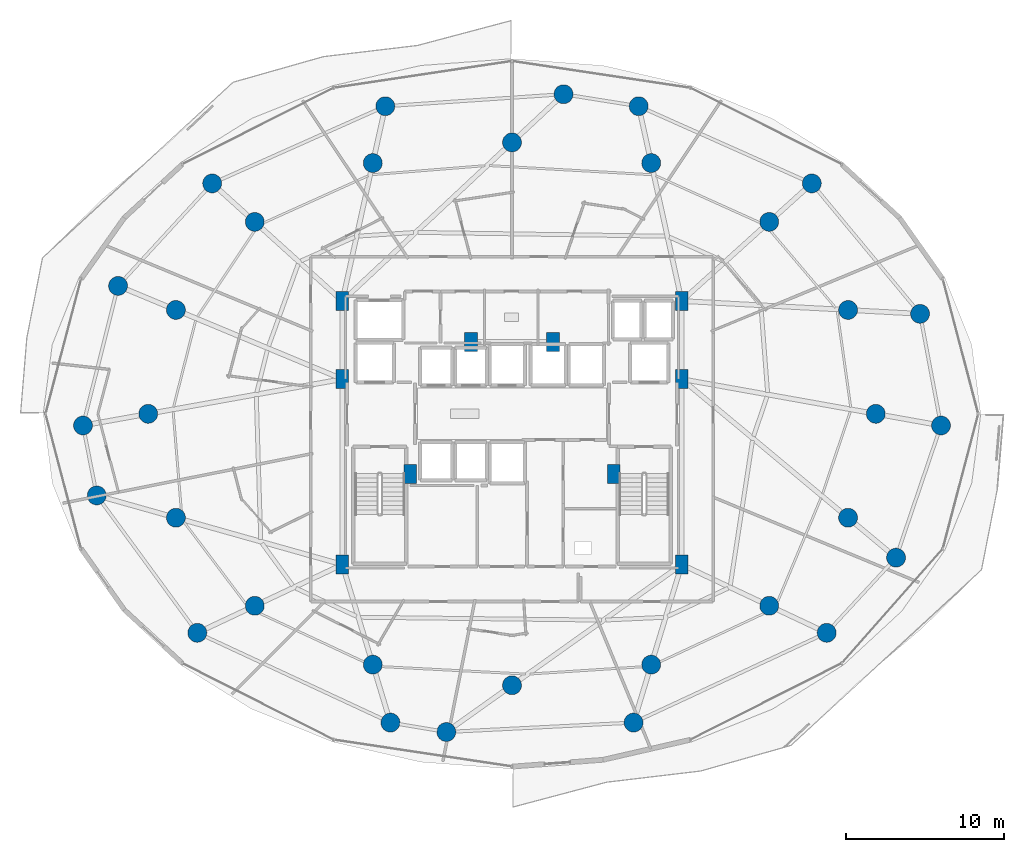
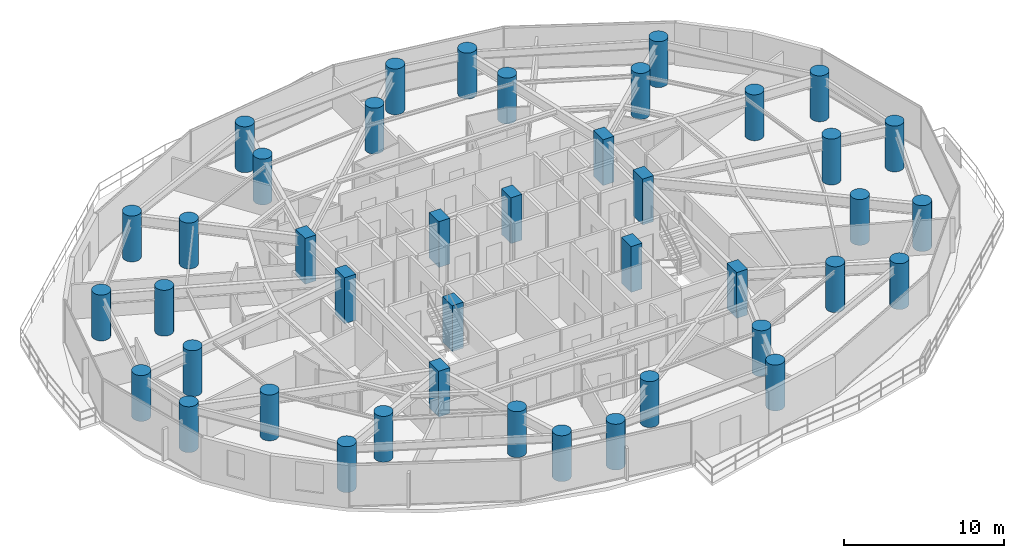
# One storey, part 1 of 35: 42 columns.
"""IFC4 building model written with IfcOpenShell, lengths in metres."""

from ifc_helpers import new_model, si_unit, direction, frame, origin, origin_2d, place, context, subcontext, project, spatial, rectangle, circle, extrude, material, material_profile, profile_set, type_object, element, save


model = new_model("IFC4")

# Units and contexts
model_context = context("Model", 3, precision=1e-05, world=origin(), true_north=direction((0.0, 1.0)))
body_context = subcontext(model_context, "Body", "Model", "MODEL_VIEW")
ifc_project = project(units=[si_unit("LENGTHUNIT", "METRE"), si_unit("AREAUNIT", "SQUARE_METRE"), si_unit("VOLUMEUNIT", "CUBIC_METRE"), si_unit("PLANEANGLEUNIT", "RADIAN"), si_unit("MASSUNIT", "GRAM", prefix="KILO")], contexts=[model_context])

# Site, building, storey
site_placement = place(None, origin())
site = spatial("IfcSite", under=ifc_project, at=site_placement, CompositionType="ELEMENT")
building_placement = place(site_placement, origin())
building = spatial("IfcBuilding", under=site, at=building_placement, Name="Vorneva Point Tower", CompositionType="ELEMENT")
storey_placement = place(building_placement, frame((0.0, 0.0, 52.0)))
storey = spatial("IfcBuildingStorey", under=building, at=storey_placement, Name="L13", CompositionType="ELEMENT", Elevation=52.0)

# Columns
ifc_material = material(Name="Concrete B60 (C50/60)", Category="concrete")
ifc_material_profile_1 = material_profile(ifc_material, circle(Radius=0.60009765625, at=origin_2d()), Name="RC-CIRC 1200")
ifc_profile_set_1 = profile_set([ifc_material_profile_1], Name="Concrete B60 (C50/60)")
column_type_1 = type_object("IfcColumnType", Name="COL-RC1200C", PredefinedType="COLUMN", material=ifc_profile_set_1)
for number, where, z_axis, x_axis, name in (
    (1, (61.050048828125, 26.0, 0.0), (0.0, 0.0, 1.0), (1.0, 0.0, 0.0), "L13 Perimeter Column P01"),
    (2, (59.29541015625, 32.582275390625, 0.0), (0.0, 0.0, 1.0), (0.923879532511, 0.382683432365, 0.0), "L13 Perimeter Column P02"),
    (3, (54.298828125, 38.162109375, 0.0), (0.0, 0.0, 1.0), (0.707106781187, 0.707106781187, 0.0), "L13 Perimeter Column P03"),
    (4, (46.82080078125, 41.890625, 0.0), (0.0, 0.0, 1.0), (0.382683432365, 0.923879532511, 0.0), "L13 Perimeter Column P04"),
    (5, (38.0, 43.199951171875, 0.0), (0.0, 0.0, 1.0), (0.0, 1.0, 0.0), "L13 Perimeter Column P05"),
    (6, (29.17919921875, 41.890625, 0.0), (0.0, 0.0, 1.0), (-0.382683432365, 0.923879532511, 0.0), "L13 Perimeter Column P06"),
    (7, (21.701171875, 38.162109375, 0.0), (0.0, 0.0, 1.0), (-0.707106781187, 0.707106781187, 0.0), "L13 Perimeter Column P07"),
    (8, (16.70458984375, 32.582275390625, 0.0), (0.0, 0.0, 1.0), (-0.923879532511, 0.382683432365, 0.0), "L13 Perimeter Column P08"),
    (9, (14.949951171875, 26.0, 0.0), (0.0, 0.0, 1.0), (-1.0, 0.0, 0.0), "L13 Perimeter Column P09"),
    (10, (16.70458984375, 19.417724609375, 0.0), (0.0, 0.0, 1.0), (-0.923879532511, -0.382683432365, 0.0), "L13 Perimeter Column P10"),
    (11, (21.701171875, 13.837890625, 0.0), (0.0, 0.0, 1.0), (-0.707106781187, -0.707106781187, 0.0), "L13 Perimeter Column P11"),
    (12, (29.17919921875, 10.109375, 0.0), (0.0, 0.0, 1.0), (-0.382683432365, -0.923879532511, 0.0), "L13 Perimeter Column P12"),
    (13, (38.0, 8.800048828125, 0.0), (0.0, 0.0, 1.0), (0.0, -1.0, 0.0), "L13 Perimeter Column P13"),
    (14, (46.82080078125, 10.109375, 0.0), (0.0, 0.0, 1.0), (0.382683432365, -0.923879532511, 0.0), "L13 Perimeter Column P14"),
    (15, (54.298828125, 13.837890625, 0.0), (0.0, 0.0, 1.0), (0.707106781187, -0.707106781187, 0.0), "L13 Perimeter Column P15"),
    (16, (59.29541015625, 19.417724609375, 0.0), (0.0, 0.0, 1.0), (0.923879532511, -0.382683432365, 0.0), "L13 Perimeter Column P16"),
    (17, (65.18212890625, 25.260986328125, 0.0), (0.0, 0.0, 1.0), (1.0, 0.0, 0.0), "L13 Outer Zone Column OP01"),
    (18, (63.8544921875, 32.336669921875, 0.0), (0.0, 0.0, 1.0), (0.923879532511, 0.382683432365, 0.0), "L13 Outer Zone Column OP02"),
    (19, (56.997314453125, 40.599853515625, 0.0), (0.0, 0.0, 1.0), (0.707106781187, 0.707106781187, 0.0), "L13 Outer Zone Column OP03"),
    (20, (46.026123046875, 45.49169921875, 0.0), (0.0, 0.0, 1.0), (0.382683432365, 0.923879532511, 0.0), "L13 Outer Zone Column OP04"),
    (21, (41.26513671875, 46.25244140625, 0.0), (0.0, 0.0, 1.0), (0.0, 1.0, 0.0), "L13 Outer Zone Column OP05"),
    (22, (29.973876953125, 45.49169921875, 0.0), (0.0, 0.0, 1.0), (-0.382683432365, 0.923879532511, 0.0), "L13 Outer Zone Column OP06"),
    (23, (19.002685546875, 40.599853515625, 0.0), (0.0, 0.0, 1.0), (-0.707106781187, 0.707106781187, 0.0), "L13 Outer Zone Column OP07"),
    (24, (13.0390625, 34.10546875, 0.0), (0.0, 0.0, 1.0), (-0.923879532511, 0.382683432365, 0.0), "L13 Outer Zone Column OP08"),
    (25, (10.81787109375, 25.260986328125, 0.0), (0.0, 0.0, 1.0), (-1.0, 0.0, 0.0), "L13 Outer Zone Column OP09"),
    (26, (11.68798828125, 20.82958984375, 0.0), (0.0, 0.0, 1.0), (-0.923879532511, -0.382683432365, 0.0), "L13 Outer Zone Column OP10"),
    (27, (18.061279296875, 12.124267578125, 0.0), (0.0, 0.0, 1.0), (-0.707106781187, -0.707106781187, 0.0), "L13 Outer Zone Column OP11"),
    (28, (30.296875, 6.435302734375, 0.0), (0.0, 0.0, 1.0), (-0.382683432365, -0.923879532511, 0.0), "L13 Outer Zone Column OP12"),
    (29, (33.84033203125, 5.83984375, 0.0), (0.0, 0.0, 1.0), (0.0, -1.0, 0.0), "L13 Outer Zone Column OP13"),
    (30, (45.703125, 6.435302734375, 0.0), (0.0, 0.0, 1.0), (0.382683432365, -0.923879532511, 0.0), "L13 Outer Zone Column OP14"),
    (31, (57.938720703125, 12.124267578125, 0.0), (0.0, 0.0, 1.0), (0.707106781187, -0.707106781187, 0.0), "L13 Outer Zone Column OP15"),
    (32, (62.3349609375, 16.886474609375, 0.0), (0.0, 0.0, 1.0), (0.923879532511, -0.382683432365, 0.0), "L13 Outer Zone Column OP16"),
):
    element("IfcColumn", number, at=place(storey_placement, frame(where, z_axis=z_axis, x_axis=x_axis)), inside=storey, type_object=column_type_1, Name=name, PredefinedType="COLUMN", context=body_context, shape_type="SweptSolid", body=[
        extrude(circle(Radius=0.60009765625, at=origin_2d()), origin(), (0.0, 0.0, 1.0), 3.5),
    ])
ifc_material_profile_2 = material_profile(ifc_material, rectangle(XDim=0.800048828125, YDim=1.199951171875, at=origin_2d()), Name="RC-PIL 1200x800")
ifc_profile_set_2 = profile_set([ifc_material_profile_2], Name="Concrete B60 (C50/60)")
column_type_2 = type_object("IfcColumnType", Name="PIL-RC1200x800", PredefinedType="PILASTER", material=ifc_profile_set_2)
for number, where, z_axis, x_axis, name in (
    (33, (27.25, 16.449951171875, 0.0), (0.0, 0.0, 1.0), (1.0, 0.0, 0.0), "L13 Core Pilaster CP1"),
    (34, (27.25, 28.199951171875, 0.0), (0.0, 0.0, 1.0), (1.0, 0.0, 0.0), "L13 Core Pilaster CP2"),
    (35, (27.25, 33.14990234375, 0.0), (0.0, 0.0, 1.0), (1.0, 0.0, 0.0), "L13 Core Pilaster CP3"),
    (36, (31.550048828125, 22.199951171875, 0.0), (0.0, 0.0, 1.0), (1.0, 0.0, 0.0), "L13 Core Pilaster CP4"),
    (37, (48.75, 33.14990234375, 0.0), (0.0, 0.0, 1.0), (1.0, 0.0, 0.0), "L13 Core Pilaster CP5"),
    (38, (48.75, 28.199951171875, 0.0), (0.0, 0.0, 1.0), (1.0, 0.0, 0.0), "L13 Core Pilaster CP6"),
    (39, (48.75, 16.449951171875, 0.0), (0.0, 0.0, 1.0), (1.0, 0.0, 0.0), "L13 Core Pilaster CP7"),
    (40, (44.449951171875, 22.199951171875, 0.0), (0.0, 0.0, 1.0), (1.0, 0.0, 0.0), "L13 Core Pilaster CP8"),
    (41, (35.39990234375, 30.550048828125, 0.0), (0.0, 0.0, 1.0), (1.0, 0.0, 0.0), "L13 Core Pilaster CP9"),
    (42, (40.60009765625, 30.550048828125, 0.0), (0.0, 0.0, 1.0), (1.0, 0.0, 0.0), "L13 Core Pilaster CP10"),
):
    element("IfcColumn", number, at=place(storey_placement, frame(where, z_axis=z_axis, x_axis=x_axis)), inside=storey, type_object=column_type_2, Name=name, PredefinedType="PILASTER", context=body_context, shape_type="SweptSolid", body=[
        extrude(rectangle(XDim=0.800048828125, YDim=1.199951171875, at=origin_2d()), origin(), (0.0, 0.0, 1.0), 3.5),
    ])

save(model, "model.ifc")
